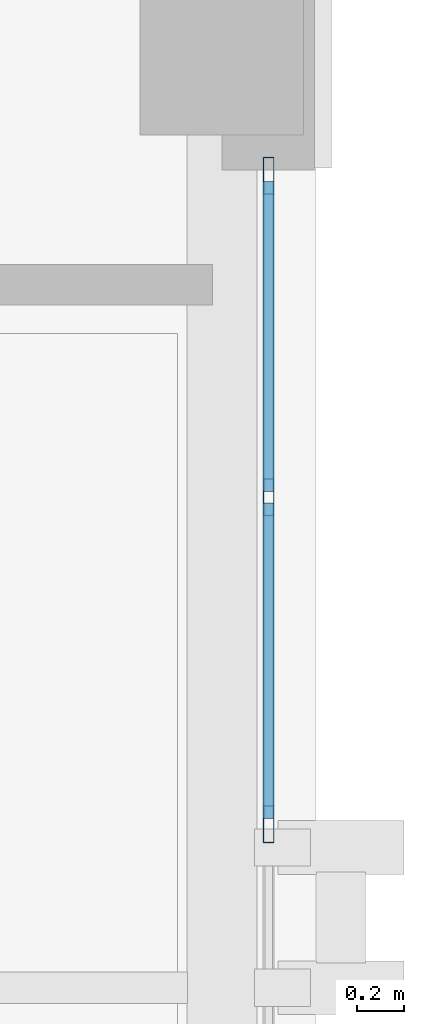
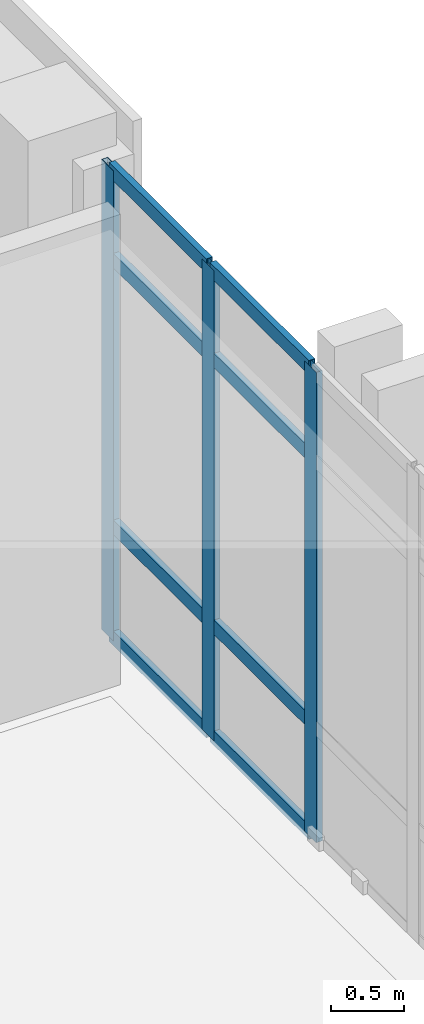
# One storey, part 63 of 158: 11 members, 1 element without a shape of its own.
"""IFC4 building model written with IfcOpenShell, lengths in metres."""

from ifc_helpers import new_model, si_unit, direction, frame, origin, origin_2d, place, context, subcontext, project, spatial, hollow_rectangle, extrude, material, layer, layer_set, material_profile, profile_set, type_object, element, aggregate, save


model = new_model("IFC4")

# Units and contexts
model_context = context("Model", 3, precision=1e-05, world=origin(), true_north=direction((0.0, 1.0)))
body_context = subcontext(model_context, "Body", "Model", "MODEL_VIEW")
ifc_project = project(units=[si_unit("LENGTHUNIT", "METRE"), si_unit("AREAUNIT", "SQUARE_METRE"), si_unit("VOLUMEUNIT", "CUBIC_METRE"), si_unit("PLANEANGLEUNIT", "RADIAN"), si_unit("MASSUNIT", "GRAM", prefix="KILO")], contexts=[model_context])

# Site, building, storey
site_placement = place(None, origin())
site = spatial("IfcSite", under=ifc_project, at=site_placement, CompositionType="ELEMENT")
building_placement = place(site_placement, origin())
building = spatial("IfcBuilding", under=site, at=building_placement, Name="Qalavern Law Courts", CompositionType="ELEMENT")
storey_placement = place(building_placement, frame((0.0, 0.0, 18.60009765625)))
storey = spatial("IfcBuildingStorey", under=building, at=storey_placement, Name="L04", CompositionType="ELEMENT", Elevation=18.60009765625)

# Curtain wall, members
ifc_material_1 = material(Name="Anodised aluminium and insulated glazing", Category="aluminium")
ifc_layer = layer(ifc_material_1, 0.159912109375)
ifc_layer_set = layer_set([ifc_layer], Name="Anodised aluminium and insulated glazing")
curtain_wall_type = type_object("IfcCurtainWallType", Name="ENV-CW-CHAMB", PredefinedType="USERDEFINED", material=ifc_layer_set)
curtain_wall_placement = place(storey_placement, origin())
curtain_wall = element("IfcCurtainWall", 1, at=curtain_wall_placement, inside=storey, type_object=curtain_wall_type, Name="V4 unitised curtain wall L04 east 3", ObjectType="UNITISED CURTAIN WALL", PredefinedType="USERDEFINED")
ifc_material_2 = material(Name="Anodised aluminium", Category="aluminium")
ifc_material_profile_1 = material_profile(ifc_material_2, hollow_rectangle(XDim=0.048095703125, YDim=0.159912109375, WallThickness=0.00390625, at=origin_2d()), Name="ALU MULLION 48x160")
ifc_profile_set_1 = profile_set([ifc_material_profile_1], Name="Anodised aluminium")
member_type_1 = type_object("IfcMemberType", Name="ENV-CWM-48x160", PredefinedType="MULLION", material=ifc_profile_set_1)
member_1_placement = place(storey_placement, frame((106.60009765625, 62.10009765625, 0.0), z_axis=(0.0, 0.0, 1.0), x_axis=(-1.0, 0.0, 0.0)))
member_1 = element("IfcMember", 2, at=member_1_placement, type_object=member_type_1, Name="CW-04 mullion 4", PredefinedType="MULLION", context=body_context, shape_type="SweptSolid", body=[
    extrude(hollow_rectangle(XDim=0.048095703125, YDim=0.159912109375, WallThickness=0.00390625, at=origin_2d()), origin(), (0.0, 0.0, 1.0), 3.9248046875),
])
member_2_placement = place(storey_placement, frame((106.60009765625, 63.5, 0.0), z_axis=(0.0, 0.0, 1.0), x_axis=(-1.0, 0.0, 0.0)))
member_2 = element("IfcMember", 3, at=member_2_placement, type_object=member_type_1, Name="CW-04 mullion 5", PredefinedType="MULLION", context=body_context, shape_type="SweptSolid", body=[
    extrude(hollow_rectangle(XDim=0.048095703125, YDim=0.159912109375, WallThickness=0.00390625, at=origin_2d()), origin(), (0.0, 0.0, 1.0), 3.9248046875),
])
member_3_placement = place(storey_placement, frame((106.60009765625, 64.8759765625, 0.0), z_axis=(0.0, 0.0, 1.0), x_axis=(-1.0, 0.0, 0.0)))
member_3 = element("IfcMember", 4, at=member_3_placement, type_object=member_type_1, Name="CW-04 mullion 6", PredefinedType="MULLION", context=body_context, shape_type="SweptSolid", body=[
    extrude(hollow_rectangle(XDim=0.048095703125, YDim=0.159912109375, WallThickness=0.00390625, at=origin_2d()), origin(), (0.0, 0.0, 1.0), 3.9248046875),
])
ifc_material_profile_2 = material_profile(ifc_material_2, hollow_rectangle(XDim=0.048095703125, YDim=0.1201171875, WallThickness=0.00390625, at=origin_2d()), Name="ALU TRANSOM 48x120")
ifc_profile_set_2 = profile_set([ifc_material_profile_2], Name="Anodised aluminium")
member_type_2 = type_object("IfcMemberType", Name="ENV-CWT-48x120", PredefinedType="USERDEFINED", material=ifc_profile_set_2)
member_4_placement = place(storey_placement, frame((106.60009765625, 62.1240234375, 0.02392578125), z_axis=(0.0, 1.0, 0.0), x_axis=(-1.0, 0.0, 0.0)))
member_4 = element("IfcMember", 5, at=member_4_placement, type_object=member_type_2, Name="CW-04 transom 4.1", ObjectType="TRANSOM", PredefinedType="USERDEFINED", context=body_context, shape_type="SweptSolid", body=[
    extrude(hollow_rectangle(XDim=0.048095703125, YDim=0.1201171875, WallThickness=0.00390625, at=origin_2d()), origin(), (0.0, 0.0, 1.0), 1.35205078125),
])
member_5_placement = place(storey_placement, frame((106.60009765625, 62.1240234375, 0.949951171875), z_axis=(0.0, 1.0, 0.0), x_axis=(-1.0, 0.0, 0.0)))
member_5 = element("IfcMember", 6, at=member_5_placement, type_object=member_type_2, Name="CW-04 transom 4.2", ObjectType="TRANSOM", PredefinedType="USERDEFINED", context=body_context, shape_type="SweptSolid", body=[
    extrude(hollow_rectangle(XDim=0.048095703125, YDim=0.1201171875, WallThickness=0.00390625, at=origin_2d()), origin(), (0.0, 0.0, 1.0), 1.35205078125),
])
member_6_placement = place(storey_placement, frame((106.60009765625, 62.1240234375, 3.1748046875), z_axis=(0.0, 1.0, 0.0), x_axis=(-1.0, 0.0, 0.0)))
member_6 = element("IfcMember", 7, at=member_6_placement, type_object=member_type_2, Name="CW-04 transom 4.3", ObjectType="TRANSOM", PredefinedType="USERDEFINED", context=body_context, shape_type="SweptSolid", body=[
    extrude(hollow_rectangle(XDim=0.048095703125, YDim=0.1201171875, WallThickness=0.00390625, at=origin_2d()), origin(), (0.0, 0.0, 1.0), 1.35205078125),
])
member_7_placement = place(storey_placement, frame((106.60009765625, 62.1240234375, 3.90087890625), z_axis=(0.0, 1.0, 0.0), x_axis=(-1.0, 0.0, 0.0)))
member_7 = element("IfcMember", 8, at=member_7_placement, type_object=member_type_2, Name="CW-04 transom 4.4", ObjectType="TRANSOM", PredefinedType="USERDEFINED", context=body_context, shape_type="SweptSolid", body=[
    extrude(hollow_rectangle(XDim=0.048095703125, YDim=0.1201171875, WallThickness=0.00390625, at=origin_2d()), origin(), (0.0, 0.0, 1.0), 1.35205078125),
])
member_8_placement = place(storey_placement, frame((106.60009765625, 63.52392578125, 0.02392578125), z_axis=(0.0, 1.0, 0.0), x_axis=(-1.0, 0.0, 0.0)))
member_8 = element("IfcMember", 9, at=member_8_placement, type_object=member_type_2, Name="CW-04 transom 5.1", ObjectType="TRANSOM", PredefinedType="USERDEFINED", context=body_context, shape_type="SweptSolid", body=[
    extrude(hollow_rectangle(XDim=0.048095703125, YDim=0.1201171875, WallThickness=0.00390625, at=origin_2d()), origin(), (0.0, 0.0, 1.0), 1.328125),
])
member_9_placement = place(storey_placement, frame((106.60009765625, 63.52392578125, 0.949951171875), z_axis=(0.0, 1.0, 0.0), x_axis=(-1.0, 0.0, 0.0)))
member_9 = element("IfcMember", 10, at=member_9_placement, type_object=member_type_2, Name="CW-04 transom 5.2", ObjectType="TRANSOM", PredefinedType="USERDEFINED", context=body_context, shape_type="SweptSolid", body=[
    extrude(hollow_rectangle(XDim=0.048095703125, YDim=0.1201171875, WallThickness=0.00390625, at=origin_2d()), origin(), (0.0, 0.0, 1.0), 1.328125),
])
member_10_placement = place(storey_placement, frame((106.60009765625, 63.52392578125, 3.1748046875), z_axis=(0.0, 1.0, 0.0), x_axis=(-1.0, 0.0, 0.0)))
member_10 = element("IfcMember", 11, at=member_10_placement, type_object=member_type_2, Name="CW-04 transom 5.3", ObjectType="TRANSOM", PredefinedType="USERDEFINED", context=body_context, shape_type="SweptSolid", body=[
    extrude(hollow_rectangle(XDim=0.048095703125, YDim=0.1201171875, WallThickness=0.00390625, at=origin_2d()), origin(), (0.0, 0.0, 1.0), 1.328125),
])
member_11_placement = place(storey_placement, frame((106.60009765625, 63.52392578125, 3.90087890625), z_axis=(0.0, 1.0, 0.0), x_axis=(-1.0, 0.0, 0.0)))
member_11 = element("IfcMember", 12, at=member_11_placement, type_object=member_type_2, Name="CW-04 transom 5.4", ObjectType="TRANSOM", PredefinedType="USERDEFINED", context=body_context, shape_type="SweptSolid", body=[
    extrude(hollow_rectangle(XDim=0.048095703125, YDim=0.1201171875, WallThickness=0.00390625, at=origin_2d()), origin(), (0.0, 0.0, 1.0), 1.328125),
])
aggregate(curtain_wall, [member_1, member_2, member_3, member_4, member_5, member_6, member_7, member_8, member_9, member_10, member_11])

save(model, "model.ifc")
